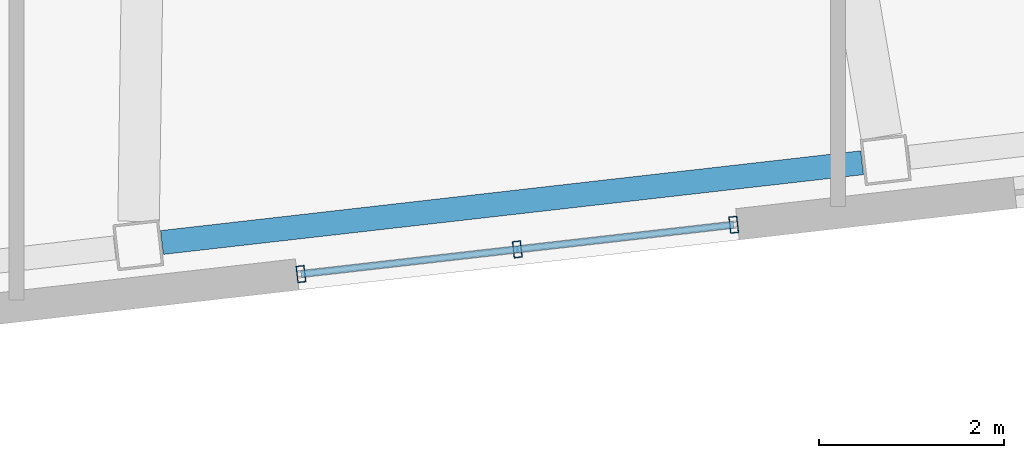
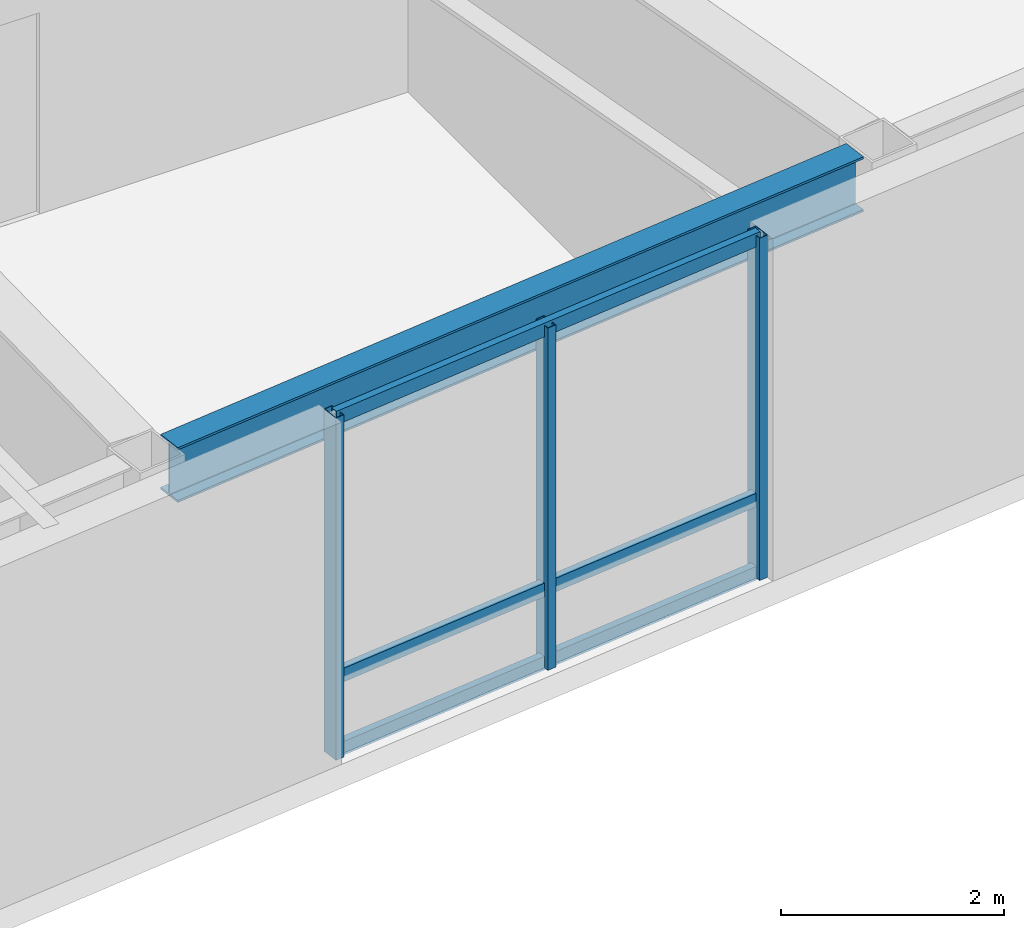
# One storey, part 5 of 18: 6 members, 1 beam, 1 element without a shape of its own.
"""IFC4 building model written with IfcOpenShell, lengths in metres."""

from ifc_helpers import new_model, si_unit, direction, frame, origin, origin_2d, place, context, subcontext, project, spatial, hollow_rectangle, i_section, extrude, material, layer, layer_set, material_profile, profile_set, type_object, element, aggregate, save


model = new_model("IFC4")

# Units and contexts
model_context = context("Model", 3, precision=1e-05, world=origin(), true_north=direction((0.0, 1.0)))
body_context = subcontext(model_context, "Body", "Model", "MODEL_VIEW")
ifc_project = project(units=[si_unit("LENGTHUNIT", "METRE"), si_unit("AREAUNIT", "SQUARE_METRE"), si_unit("VOLUMEUNIT", "CUBIC_METRE"), si_unit("PLANEANGLEUNIT", "RADIAN"), si_unit("MASSUNIT", "GRAM", prefix="KILO")], contexts=[model_context])

# Site, building, storey
site_placement = place(None, origin())
site = spatial("IfcSite", under=ifc_project, at=site_placement, CompositionType="ELEMENT")
building_placement = place(site_placement, origin())
building = spatial("IfcBuilding", under=site, at=building_placement, Name="Tavrogorsk Clinical Tower", CompositionType="ELEMENT")
storey_placement = place(building_placement, frame((0.0, 0.0, 226.199951171875)))
storey = spatial("IfcBuildingStorey", under=building, at=storey_placement, Name="L52", CompositionType="ELEMENT", Elevation=226.199951171875)

# Curtain wall, members
ifc_material_1 = material(Name="Anodised aluminium and triple IGU glazing", Category="aluminium")
ifc_layer = layer(ifc_material_1, 0.179931640625)
ifc_layer_set = layer_set([ifc_layer], Name="Anodised aluminium and triple IGU glazing")
curtain_wall_type = type_object("IfcCurtainWallType", Name="CW3_SouthSlot", PredefinedType="NOTDEFINED", material=ifc_layer_set)
curtain_wall_placement = place(storey_placement, origin())
curtain_wall = element("IfcCurtainWall", 1, at=curtain_wall_placement, inside=storey, type_object=curtain_wall_type, Name="L52 Curtain Wall CW-L52-S-SLOT-2", PredefinedType="NOTDEFINED")
ifc_material_2 = material(Name="Anodised aluminium alloy AW-6060", Category="aluminium")
ifc_material_profile_1 = material_profile(ifc_material_2, hollow_rectangle(XDim=0.090087890625, YDim=0.179931640625, WallThickness=0.00634765625, at=origin_2d()), Name="RHS-180x90x6.3")
ifc_profile_set_1 = profile_set([ifc_material_profile_1], Name="Anodised aluminium alloy AW-6060")
member_type_1 = type_object("IfcMemberType", Name="CwMullion_180x90", PredefinedType="MULLION", material=ifc_profile_set_1)
member_1_placement = place(storey_placement, frame((5.982177734375, -19.42529296875, 0.0), z_axis=(0.0, 0.0, 1.0), x_axis=(0.993571855603, 0.11320321441, 0.0)))
member_1 = element("IfcMember", 2, at=member_1_placement, type_object=member_type_1, Name="CW-L52-S-SLOT-2 Mullion 1", PredefinedType="MULLION", context=body_context, shape_type="SweptSolid", body=[
    extrude(hollow_rectangle(XDim=0.090087890625, YDim=0.179931640625, WallThickness=0.00634765625, at=origin_2d()), origin(), (0.0, 0.0, 1.0), 3.739990234375),
])
member_2_placement = place(storey_placement, frame((8.325927734375, -19.158203125, 0.0), z_axis=(0.0, 0.0, 1.0), x_axis=(0.993571855603, 0.11320321441, 0.0)))
member_2 = element("IfcMember", 3, at=member_2_placement, type_object=member_type_1, Name="CW-L52-S-SLOT-2 Mullion 2", PredefinedType="MULLION", context=body_context, shape_type="SweptSolid", body=[
    extrude(hollow_rectangle(XDim=0.090087890625, YDim=0.179931640625, WallThickness=0.00634765625, at=origin_2d()), origin(), (0.0, 0.0, 1.0), 3.739990234375),
])
member_3_placement = place(storey_placement, frame((10.669677734375, -18.89111328125, 0.0), z_axis=(0.0, 0.0, 1.0), x_axis=(0.993571855603, 0.11320321441, 0.0)))
member_3 = element("IfcMember", 4, at=member_3_placement, type_object=member_type_1, Name="CW-L52-S-SLOT-2 Mullion 3", PredefinedType="MULLION", context=body_context, shape_type="SweptSolid", body=[
    extrude(hollow_rectangle(XDim=0.090087890625, YDim=0.179931640625, WallThickness=0.00634765625, at=origin_2d()), origin(), (0.0, 0.0, 1.0), 3.739990234375),
])
ifc_material_3 = material(Name="Anodised aluminium alloy AW-6060", Category="aluminium")
ifc_material_profile_2 = material_profile(ifc_material_3, hollow_rectangle(XDim=0.074951171875, YDim=0.14990234375, WallThickness=0.0048828125, at=origin_2d()), Name="RHS-150x75x5")
ifc_profile_set_2 = profile_set([ifc_material_profile_2], Name="Anodised aluminium alloy AW-6060")
member_type_2 = type_object("IfcMemberType", Name="CwTransom_150x75", PredefinedType="USERDEFINED", material=ifc_profile_set_2)
member_4_placement = place(storey_placement, frame((5.982177734375, -19.42529296875, 0.050048828125), z_axis=(0.993569315854, 0.113225503286, 0.0), x_axis=(-0.113225503286, 0.993569315854, 0.0)))
member_4 = element("IfcMember", 5, at=member_4_placement, type_object=member_type_2, Name="CW-L52-S-SLOT-2 Transom 1", ObjectType="TRANSOM", PredefinedType="USERDEFINED", context=body_context, shape_type="SweptSolid", body=[
    extrude(hollow_rectangle(XDim=0.074951171875, YDim=0.14990234375, WallThickness=0.0048828125, at=origin_2d()), origin(), (0.0, 0.0, 1.0), 4.7177734375),
])
member_5_placement = place(storey_placement, frame((5.982177734375, -19.42529296875, 0.85009765625), z_axis=(0.993569315854, 0.113225503286, 0.0), x_axis=(-0.113225503286, 0.993569315854, 0.0)))
member_5 = element("IfcMember", 6, at=member_5_placement, type_object=member_type_2, Name="CW-L52-S-SLOT-2 Transom 2", ObjectType="TRANSOM", PredefinedType="USERDEFINED", context=body_context, shape_type="SweptSolid", body=[
    extrude(hollow_rectangle(XDim=0.074951171875, YDim=0.14990234375, WallThickness=0.0048828125, at=origin_2d()), origin(), (0.0, 0.0, 1.0), 4.7177734375),
])
member_6_placement = place(storey_placement, frame((5.982177734375, -19.42529296875, 3.68994140625), z_axis=(0.993569315854, 0.113225503286, 0.0), x_axis=(-0.113225503286, 0.993569315854, 0.0)))
member_6 = element("IfcMember", 7, at=member_6_placement, type_object=member_type_2, Name="CW-L52-S-SLOT-2 Transom 3", ObjectType="TRANSOM", PredefinedType="USERDEFINED", context=body_context, shape_type="SweptSolid", body=[
    extrude(hollow_rectangle(XDim=0.074951171875, YDim=0.14990234375, WallThickness=0.0048828125, at=origin_2d()), origin(), (0.0, 0.0, 1.0), 4.7177734375),
])
aggregate(curtain_wall, [member_1, member_2, member_3, member_4, member_5, member_6])

# Beam
ifc_material_4 = material(Name="Structural steel S390", Category="steel")
ifc_material_profile_3 = material_profile(ifc_material_4, i_section(OverallWidth=0.260009765625, OverallDepth=0.60009765625, WebThickness=0.014892578125, FlangeThickness=0.02392578125, at=origin_2d()), Name="B-600x260x15x24")
ifc_profile_set_3 = profile_set([ifc_material_profile_3], Name="Structural steel S390")
beam_type = type_object("IfcBeamType", Name="SpandrelBeam_B600", PredefinedType="SPANDREL", material=ifc_profile_set_3)
beam_placement = place(storey_placement, frame((4.476318359375, -19.08349609375, 3.43994140625), z_axis=(0.993572509708, 0.113197473259, 0.0), x_axis=(-0.113197473259, 0.993572509708, 0.0)))
element("IfcBeam", 8, at=beam_placement, inside=storey, type_object=beam_type, Name="L52 Perimeter Spandrel S5-S6", PredefinedType="SPANDREL", context=body_context, shape_type="SweptSolid", body=[
    extrude(i_section(OverallWidth=0.260009765625, OverallDepth=0.60009765625, WebThickness=0.014892578125, FlangeThickness=0.02392578125, at=origin_2d()), origin(), (0.0, 0.0, 1.0), 7.6328125),
])

save(model, "model.ifc")
